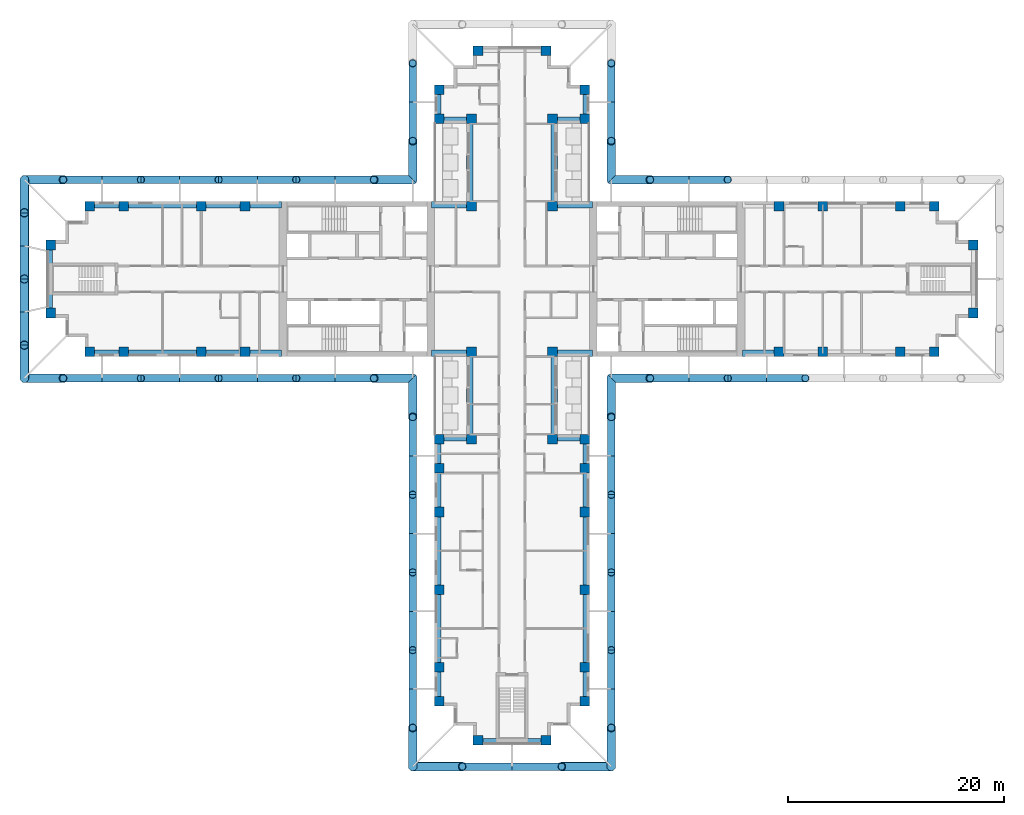
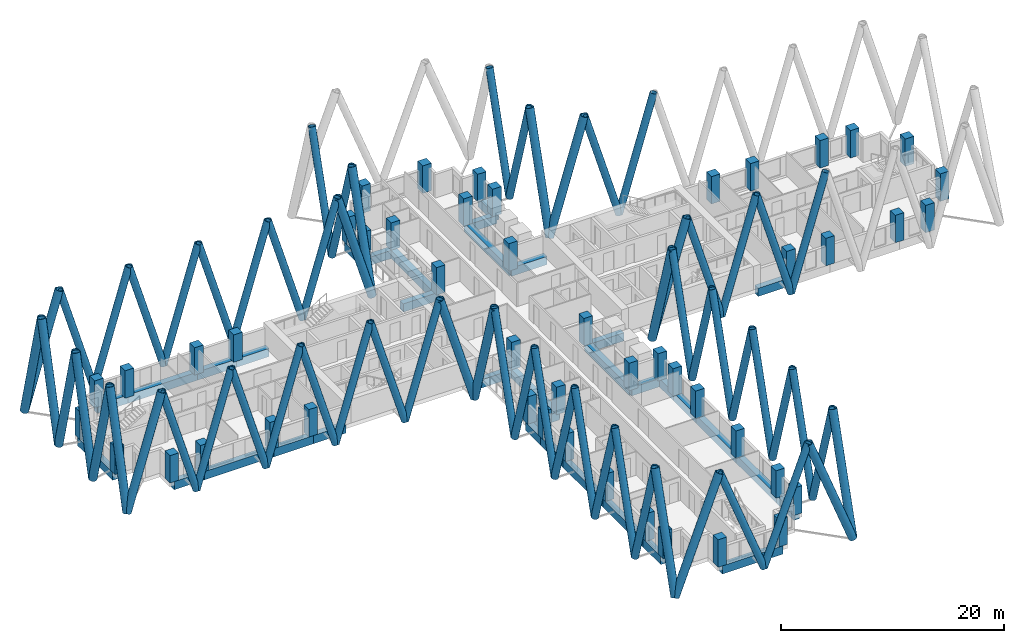
# One storey, part 1 of 14: 64 members, 48 columns, 35 beams.
"""IFC4 building model written with IfcOpenShell, lengths in metres."""

from ifc_helpers import new_model, si_unit, direction, frame, origin, origin_2d, place, context, subcontext, project, spatial, rectangle, hollow_circle, extrude, material, material_profile, profile_set, type_object, element, save


model = new_model("IFC4")

# Units and contexts
model_context = context("Model", 3, precision=1e-05, world=origin(), true_north=direction((0.0, 1.0)))
body_context = subcontext(model_context, "Body", "Model", "MODEL_VIEW")
ifc_project = project(units=[si_unit("LENGTHUNIT", "METRE"), si_unit("AREAUNIT", "SQUARE_METRE"), si_unit("VOLUMEUNIT", "CUBIC_METRE"), si_unit("PLANEANGLEUNIT", "RADIAN"), si_unit("MASSUNIT", "GRAM", prefix="KILO")], contexts=[model_context])

# Site, building, storey
site_placement = place(None, origin())
site = spatial("IfcSite", under=ifc_project, at=site_placement, CompositionType="ELEMENT")
building_placement = place(site_placement, origin())
building = spatial("IfcBuilding", under=site, at=building_placement, Name="Fustian Cross Tower", CompositionType="ELEMENT")
storey_placement = place(building_placement, frame((0.0, 0.0, 78.89990234375)))
storey = spatial("IfcBuildingStorey", under=building, at=storey_placement, Name="L24", CompositionType="ELEMENT", Elevation=78.89990234375)

# Columns
ifc_material_1 = material(Name="Concrete C60/75", Category="concrete")
ifc_material_profile_1 = material_profile(ifc_material_1, rectangle(XDim=0.89990234375, YDim=0.89990234375, at=origin_2d()), Name="RC 900x900")
ifc_profile_set_1 = profile_set([ifc_material_profile_1], Name="Concrete C60/75")
column_type = type_object("IfcColumnType", Name="COLUMN RC 900x900 C60/75", PredefinedType="COLUMN", material=ifc_profile_set_1)
for number, where, z_axis, x_axis, name in (
    (1, (-42.75, -3.14990234375, 0.0), (0.0, 0.0, 1.0), (1.0, 0.0, 0.0), "COLUMN 001"),
    (2, (-42.75, 3.14990234375, 0.0), (0.0, 0.0, 1.0), (1.0, 0.0, 0.0), "COLUMN 002"),
    (3, (-39.14990234375, -6.75, 0.0), (0.0, 0.0, 1.0), (1.0, 0.0, 0.0), "COLUMN 003"),
    (4, (-39.14990234375, 6.75, 0.0), (0.0, 0.0, 1.0), (1.0, 0.0, 0.0), "COLUMN 004"),
    (5, (-36.0, -6.75, 0.0), (0.0, 0.0, 1.0), (1.0, 0.0, 0.0), "COLUMN 005"),
    (6, (-36.0, 6.75, 0.0), (0.0, 0.0, 1.0), (1.0, 0.0, 0.0), "COLUMN 006"),
    (7, (-28.800048828125, -6.75, 0.0), (0.0, 0.0, 1.0), (1.0, 0.0, 0.0), "COLUMN 007"),
    (8, (-28.800048828125, 6.75, 0.0), (0.0, 0.0, 1.0), (1.0, 0.0, 0.0), "COLUMN 010"),
    (9, (-24.75, -6.75, 0.0), (0.0, 0.0, 1.0), (1.0, 0.0, 0.0), "COLUMN 011"),
    (10, (-24.75, 6.75, 0.0), (0.0, 0.0, 1.0), (1.0, 0.0, 0.0), "COLUMN 012"),
    (11, (-6.75, -39.14990234375, 0.0), (0.0, 0.0, 1.0), (1.0, 0.0, 0.0), "COLUMN 013"),
    (12, (-6.75, -36.0, 0.0), (0.0, 0.0, 1.0), (1.0, 0.0, 0.0), "COLUMN 014"),
    (13, (-6.75, -28.800048828125, 0.0), (0.0, 0.0, 1.0), (1.0, 0.0, 0.0), "COLUMN 015"),
    (14, (-6.75, -21.60009765625, 0.0), (0.0, 0.0, 1.0), (1.0, 0.0, 0.0), "COLUMN 016"),
    (15, (-6.75, -17.550048828125, 0.0), (0.0, 0.0, 1.0), (1.0, 0.0, 0.0), "COLUMN 017"),
    (16, (-6.75, -14.85009765625, 0.0), (0.0, 0.0, 1.0), (1.0, 0.0, 0.0), "COLUMN 018"),
    (17, (-6.75, 14.85009765625, 0.0), (0.0, 0.0, 1.0), (1.0, 0.0, 0.0), "COLUMN 019"),
    (18, (-6.75, 17.550048828125, 0.0), (0.0, 0.0, 1.0), (1.0, 0.0, 0.0), "COLUMN 020"),
    (19, (-3.75, -14.85009765625, 0.0), (0.0, 0.0, 1.0), (1.0, 0.0, 0.0), "COLUMN 025"),
    (20, (-3.75, -6.75, 0.0), (0.0, 0.0, 1.0), (1.0, 0.0, 0.0), "COLUMN 026"),
    (21, (-3.75, 6.75, 0.0), (0.0, 0.0, 1.0), (1.0, 0.0, 0.0), "COLUMN 027"),
    (22, (-3.75, 14.85009765625, 0.0), (0.0, 0.0, 1.0), (1.0, 0.0, 0.0), "COLUMN 028"),
    (23, (-3.14990234375, -42.75, 0.0), (0.0, 0.0, 1.0), (1.0, 0.0, 0.0), "COLUMN 029"),
    (24, (-3.14990234375, 21.14990234375, 0.0), (0.0, 0.0, 1.0), (1.0, 0.0, 0.0), "COLUMN 031"),
    (25, (3.14990234375, -42.75, 0.0), (0.0, 0.0, 1.0), (1.0, 0.0, 0.0), "COLUMN 033"),
    (26, (3.14990234375, 21.14990234375, 0.0), (0.0, 0.0, 1.0), (1.0, 0.0, 0.0), "COLUMN 035"),
    (27, (3.75, -14.85009765625, 0.0), (0.0, 0.0, 1.0), (1.0, 0.0, 0.0), "COLUMN 037"),
    (28, (3.75, -6.75, 0.0), (0.0, 0.0, 1.0), (1.0, 0.0, 0.0), "COLUMN 038"),
    (29, (3.75, 6.75, 0.0), (0.0, 0.0, 1.0), (1.0, 0.0, 0.0), "COLUMN 039"),
    (30, (3.75, 14.85009765625, 0.0), (0.0, 0.0, 1.0), (1.0, 0.0, 0.0), "COLUMN 040"),
    (31, (6.75, -39.14990234375, 0.0), (0.0, 0.0, 1.0), (1.0, 0.0, 0.0), "COLUMN 041"),
    (32, (6.75, -36.0, 0.0), (0.0, 0.0, 1.0), (1.0, 0.0, 0.0), "COLUMN 042"),
    (33, (6.75, -28.800048828125, 0.0), (0.0, 0.0, 1.0), (1.0, 0.0, 0.0), "COLUMN 043"),
    (34, (6.75, -21.60009765625, 0.0), (0.0, 0.0, 1.0), (1.0, 0.0, 0.0), "COLUMN 044"),
    (35, (6.75, -17.550048828125, 0.0), (0.0, 0.0, 1.0), (1.0, 0.0, 0.0), "COLUMN 045"),
    (36, (6.75, -14.85009765625, 0.0), (0.0, 0.0, 1.0), (1.0, 0.0, 0.0), "COLUMN 046"),
    (37, (6.75, 14.85009765625, 0.0), (0.0, 0.0, 1.0), (1.0, 0.0, 0.0), "COLUMN 047"),
    (38, (6.75, 17.550048828125, 0.0), (0.0, 0.0, 1.0), (1.0, 0.0, 0.0), "COLUMN 048"),
    (39, (24.75, -6.75, 0.0), (0.0, 0.0, 1.0), (1.0, 0.0, 0.0), "COLUMN 053"),
    (40, (24.75, 6.75, 0.0), (0.0, 0.0, 1.0), (1.0, 0.0, 0.0), "COLUMN 054"),
    (41, (28.800048828125, -6.75, 0.0), (0.0, 0.0, 1.0), (1.0, 0.0, 0.0), "COLUMN 055"),
    (42, (28.800048828125, 6.75, 0.0), (0.0, 0.0, 1.0), (1.0, 0.0, 0.0), "COLUMN 058"),
    (43, (36.0, -6.75, 0.0), (0.0, 0.0, 1.0), (1.0, 0.0, 0.0), "COLUMN 059"),
    (44, (36.0, 6.75, 0.0), (0.0, 0.0, 1.0), (1.0, 0.0, 0.0), "COLUMN 060"),
    (45, (39.14990234375, -6.75, 0.0), (0.0, 0.0, 1.0), (1.0, 0.0, 0.0), "COLUMN 061"),
    (46, (39.14990234375, 6.75, 0.0), (0.0, 0.0, 1.0), (1.0, 0.0, 0.0), "COLUMN 062"),
    (47, (42.75, -3.14990234375, 0.0), (0.0, 0.0, 1.0), (1.0, 0.0, 0.0), "COLUMN 063"),
    (48, (42.75, 3.14990234375, 0.0), (0.0, 0.0, 1.0), (1.0, 0.0, 0.0), "COLUMN 064"),
):
    element("IfcColumn", number, at=place(storey_placement, frame(where, z_axis=z_axis, x_axis=x_axis)), inside=storey, type_object=column_type, Name=name, PredefinedType="COLUMN", context=body_context, shape_type="SweptSolid", body=[
        extrude(rectangle(XDim=0.89990234375, YDim=0.89990234375, at=origin_2d()), origin(), (0.0, 0.0, 1.0), 3.0),
    ])

# Members
ifc_material_2 = material(Name="Steel S355", Category="steel")
ifc_material_profile_2 = material_profile(ifc_material_2, hollow_circle(Radius=0.355712890625, WallThickness=0.031982421875, at=origin_2d()), Name="CHS 711x32")
ifc_profile_set_2 = profile_set([ifc_material_profile_2], Name="Steel S355")
member_type_1 = type_object("IfcMemberType", Name="DIAGRID DIAGONAL CHS 711x32", PredefinedType="BRACE", material=ifc_profile_set_2)
for number, where, z_axis, x_axis, name in (
    (49, (16.39990234375, -9.199951171875, 0.0), (-0.287337158709, 0.0, 0.957829503213), (0.0, -1.0, 0.0), "Diagrid diagonal E-S 02"),
    (50, (16.39990234375, -9.199951171875, 0.0), (0.287355036744, 0.0, 0.957824139839), (0.0, 1.0, 0.0), "Diagrid diagonal E-S 03"),
    (51, (23.60009765625, -9.199951171875, 0.0), (-0.287355036744, 0.0, 0.957824139839), (0.0, -1.0, 0.0), "Diagrid diagonal E-S 04"),
    (52, (23.60009765625, -9.199951171875, 0.0), (0.287337158709, 0.0, 0.957829503213), (0.0, 1.0, 0.0), "Diagrid diagonal E-S 05"),
    (53, (16.39990234375, 9.199951171875, 0.0), (0.287355036744, 0.0, 0.957824139839), (0.0, 1.0, 0.0), "Diagrid diagonal E-N 08"),
    (54, (16.39990234375, 9.199951171875, 0.0), (-0.287337158709, 0.0, 0.957829503213), (0.0, -1.0, 0.0), "Diagrid diagonal E-N 09"),
    (55, (9.199951171875, 16.39990234375, 0.0), (0.0, -0.287337158709, 0.957829503213), (1.0, 0.0, 0.0), "Diagrid diagonal N-E 02"),
    (56, (9.199951171875, 16.39990234375, 0.0), (0.0, 0.287355036744, 0.957824139839), (-1.0, 0.0, 0.0), "Diagrid diagonal N-E 03"),
    (57, (-9.199951171875, 16.39990234375, 0.0), (0.0, 0.287355036744, 0.957824139839), (-1.0, 0.0, 0.0), "Diagrid diagonal N-W 02"),
    (58, (-9.199951171875, 16.39990234375, 0.0), (0.0, -0.287337158709, 0.957829503213), (1.0, 0.0, 0.0), "Diagrid diagonal N-W 03"),
    (59, (-16.39990234375, 9.199951171875, 0.0), (0.287337158709, 0.0, 0.957829503213), (0.0, 1.0, 0.0), "Diagrid diagonal W-N 02"),
    (60, (-16.39990234375, 9.199951171875, 0.0), (-0.287355036744, 0.0, 0.957824139839), (0.0, -1.0, 0.0), "Diagrid diagonal W-N 03"),
    (61, (-23.60009765625, 9.199951171875, 0.0), (0.287355036744, 0.0, 0.957824139839), (0.0, 1.0, 0.0), "Diagrid diagonal W-N 04"),
    (62, (-23.60009765625, 9.199951171875, 0.0), (-0.287337158709, 0.0, 0.957829503213), (0.0, -1.0, 0.0), "Diagrid diagonal W-N 05"),
    (63, (-30.800048828125, 9.199951171875, 0.0), (0.287355036744, 0.0, 0.957824139839), (0.0, 1.0, 0.0), "Diagrid diagonal W-N 06"),
    (64, (-30.800048828125, 9.199951171875, 0.0), (-0.287337158709, 0.0, 0.957829503213), (0.0, -1.0, 0.0), "Diagrid diagonal W-N 07"),
    (65, (-38.0, 9.199951171875, 0.0), (0.287355036744, 0.0, 0.957824139839), (0.0, 1.0, 0.0), "Diagrid diagonal W-N 08"),
    (66, (-38.0, 9.199951171875, 0.0), (-0.287355036744, 0.0, 0.957824139839), (0.0, -1.0, 0.0), "Diagrid diagonal W-N 09"),
    (67, (-38.0, -9.199951171875, 0.0), (-0.287355036744, 0.0, 0.957824139839), (0.0, -1.0, 0.0), "Diagrid diagonal W-S 02"),
    (68, (-38.0, -9.199951171875, 0.0), (0.287355036744, 0.0, 0.957824139839), (0.0, 1.0, 0.0), "Diagrid diagonal W-S 03"),
    (69, (-30.800048828125, -9.199951171875, 0.0), (-0.287337158709, 0.0, 0.957829503213), (0.0, -1.0, 0.0), "Diagrid diagonal W-S 04"),
    (70, (-30.800048828125, -9.199951171875, 0.0), (0.287355036744, 0.0, 0.957824139839), (0.0, 1.0, 0.0), "Diagrid diagonal W-S 05"),
    (71, (-23.60009765625, -9.199951171875, 0.0), (-0.287337158709, 0.0, 0.957829503213), (0.0, -1.0, 0.0), "Diagrid diagonal W-S 06"),
    (72, (-23.60009765625, -9.199951171875, 0.0), (0.287355036744, 0.0, 0.957824139839), (0.0, 1.0, 0.0), "Diagrid diagonal W-S 07"),
    (73, (-16.39990234375, -9.199951171875, 0.0), (-0.287355036744, 0.0, 0.957824139839), (0.0, -1.0, 0.0), "Diagrid diagonal W-S 08"),
    (74, (-16.39990234375, -9.199951171875, 0.0), (0.287337158709, 0.0, 0.957829503213), (0.0, 1.0, 0.0), "Diagrid diagonal W-S 09"),
    (75, (-9.199951171875, -16.39990234375, 0.0), (0.0, 0.287337158709, 0.957829503213), (-1.0, 0.0, 0.0), "Diagrid diagonal S-W 02"),
    (76, (-9.199951171875, -16.39990234375, 0.0), (0.0, -0.287355036744, 0.957824139839), (1.0, 0.0, 0.0), "Diagrid diagonal S-W 03"),
    (77, (-9.199951171875, -23.60009765625, 0.0), (0.0, 0.287355036744, 0.957824139839), (-1.0, 0.0, 0.0), "Diagrid diagonal S-W 04"),
    (78, (-9.199951171875, -23.60009765625, 0.0), (0.0, -0.287337158709, 0.957829503213), (1.0, 0.0, 0.0), "Diagrid diagonal S-W 05"),
    (79, (-9.199951171875, -30.800048828125, 0.0), (0.0, 0.287355036744, 0.957824139839), (-1.0, 0.0, 0.0), "Diagrid diagonal S-W 06"),
    (80, (-9.199951171875, -30.800048828125, 0.0), (0.0, -0.287337158709, 0.957829503213), (1.0, 0.0, 0.0), "Diagrid diagonal S-W 07"),
    (81, (-9.199951171875, -38.0, 0.0), (0.0, 0.287355036744, 0.957824139839), (-1.0, 0.0, 0.0), "Diagrid diagonal S-W 08"),
    (82, (-9.199951171875, -38.0, 0.0), (0.0, -0.287355036744, 0.957824139839), (1.0, 0.0, 0.0), "Diagrid diagonal S-W 09"),
):
    element("IfcMember", number, at=place(storey_placement, frame(where, z_axis=z_axis, x_axis=x_axis)), inside=storey, type_object=member_type_1, Name=name, PredefinedType="BRACE", context=body_context, shape_type="SweptSolid", body=[
        extrude(hollow_circle(Radius=0.355712890625, WallThickness=0.031982421875, at=origin_2d()), origin(), (0.0, 0.0, 1.0), 12.5283203125),
    ])
for number, where, z_axis, x_axis, name in (
    (83, (0.0, -45.199951171875, 0.0), (-0.3579426369, 0.0, 0.933743577589), (0.0, -1.0, 0.0), "Diagrid diagonal S-end 02"),
    (84, (0.0, -45.199951171875, 0.0), (0.3579426369, 0.0, 0.933743577589), (0.0, 1.0, 0.0), "Diagrid diagonal S-end 03"),
):
    element("IfcMember", number, at=place(storey_placement, frame(where, z_axis=z_axis, x_axis=x_axis)), inside=storey, type_object=member_type_1, Name=name, PredefinedType="BRACE", context=body_context, shape_type="SweptSolid", body=[
        extrude(hollow_circle(Radius=0.355712890625, WallThickness=0.031982421875, at=origin_2d()), origin(), (0.0, 0.0, 1.0), 12.8515625),
    ])
for number, where, z_axis, x_axis, name in (
    (85, (9.199951171875, -38.0, 0.0), (0.0, -0.287355036744, 0.957824139839), (1.0, 0.0, 0.0), "Diagrid diagonal S-E 02"),
    (86, (9.199951171875, -38.0, 0.0), (0.0, 0.287355036744, 0.957824139839), (-1.0, 0.0, 0.0), "Diagrid diagonal S-E 03"),
    (87, (9.199951171875, -30.800048828125, 0.0), (0.0, -0.287337158709, 0.957829503213), (1.0, 0.0, 0.0), "Diagrid diagonal S-E 04"),
    (88, (9.199951171875, -30.800048828125, 0.0), (0.0, 0.287355036744, 0.957824139839), (-1.0, 0.0, 0.0), "Diagrid diagonal S-E 05"),
    (89, (9.199951171875, -23.60009765625, 0.0), (0.0, -0.287337158709, 0.957829503213), (1.0, 0.0, 0.0), "Diagrid diagonal S-E 06"),
    (90, (9.199951171875, -23.60009765625, 0.0), (0.0, 0.287355036744, 0.957824139839), (-1.0, 0.0, 0.0), "Diagrid diagonal S-E 07"),
    (91, (9.199951171875, -16.39990234375, 0.0), (0.0, -0.287355036744, 0.957824139839), (1.0, 0.0, 0.0), "Diagrid diagonal S-E 08"),
    (92, (9.199951171875, -16.39990234375, 0.0), (0.0, 0.287337158709, 0.957829503213), (-1.0, 0.0, 0.0), "Diagrid diagonal S-E 09"),
):
    element("IfcMember", number, at=place(storey_placement, frame(where, z_axis=z_axis, x_axis=x_axis)), inside=storey, type_object=member_type_1, Name=name, PredefinedType="BRACE", context=body_context, shape_type="SweptSolid", body=[
        extrude(hollow_circle(Radius=0.355712890625, WallThickness=0.031982421875, at=origin_2d()), origin(), (0.0, 0.0, 1.0), 12.5283203125),
    ])
ifc_material_3 = material(Name="Steel S355", Category="steel")
ifc_material_profile_3 = material_profile(ifc_material_3, hollow_circle(Radius=0.406494140625, WallThickness=0.0400390625, at=origin_2d()), Name="CHS 813x40")
ifc_profile_set_3 = profile_set([ifc_material_profile_3], Name="Steel S355")
member_type_2 = type_object("IfcMemberType", Name="DIAGRID DIAGONAL CHS 813x40", PredefinedType="BRACE", material=ifc_profile_set_3)
for number, where, z_axis, x_axis, name in (
    (93, (9.199951171875, -9.199951171875, 0.0), (0.287355036744, 0.0, 0.957824139839), (0.0, 1.0, 0.0), "Diagrid diagonal E-S 01"),
    (94, (9.199951171875, 9.199951171875, 0.0), (0.287355036744, 0.0, 0.957824139839), (0.0, 1.0, 0.0), "Diagrid diagonal E-N 10"),
    (95, (9.199951171875, 9.199951171875, 0.0), (0.0, 0.287355036744, 0.957824139839), (-1.0, 0.0, 0.0), "Diagrid diagonal N-E 01"),
    (96, (-9.199951171875, 9.199951171875, 0.0), (0.0, 0.287355036744, 0.957824139839), (-1.0, 0.0, 0.0), "Diagrid diagonal N-W 04"),
    (97, (-9.199951171875, 9.199951171875, 0.0), (-0.287355036744, 0.0, 0.957824139839), (0.0, -1.0, 0.0), "Diagrid diagonal W-N 01"),
    (98, (-45.199951171875, 9.199951171875, 0.0), (0.287337158709, 0.0, 0.957829503213), (0.0, 1.0, 0.0), "Diagrid diagonal W-N 10"),
):
    element("IfcMember", number, at=place(storey_placement, frame(where, z_axis=z_axis, x_axis=x_axis)), inside=storey, type_object=member_type_2, Name=name, PredefinedType="BRACE", context=body_context, shape_type="SweptSolid", body=[
        extrude(hollow_circle(Radius=0.406494140625, WallThickness=0.0400390625, at=origin_2d()), origin(), (0.0, 0.0, 1.0), 12.5283203125),
    ])
for number, where, z_axis, x_axis, name in (
    (99, (-45.199951171875, 9.199951171875, 0.0), (0.0, -0.247597033967, 0.96886310115), (1.0, 0.0, 0.0), "Diagrid diagonal W-end 01"),
    (100, (-45.199951171875, 3.066650390625, 0.0), (0.0, 0.247597033967, 0.96886310115), (-1.0, 0.0, 0.0), "Diagrid diagonal W-end 02"),
    (101, (-45.199951171875, 3.066650390625, 0.0), (0.0, -0.247597033967, 0.96886310115), (1.0, 0.0, 0.0), "Diagrid diagonal W-end 03"),
    (102, (-45.199951171875, -3.066650390625, 0.0), (0.0, 0.247597033967, 0.96886310115), (-1.0, 0.0, 0.0), "Diagrid diagonal W-end 04"),
    (103, (-45.199951171875, -3.066650390625, 0.0), (0.0, -0.247597033967, 0.96886310115), (1.0, 0.0, 0.0), "Diagrid diagonal W-end 05"),
    (104, (-45.199951171875, -9.199951171875, 0.0), (0.0, 0.247597033967, 0.96886310115), (-1.0, 0.0, 0.0), "Diagrid diagonal W-end 06"),
):
    element("IfcMember", number, at=place(storey_placement, frame(where, z_axis=z_axis, x_axis=x_axis)), inside=storey, type_object=member_type_2, Name=name, PredefinedType="BRACE", context=body_context, shape_type="SweptSolid", body=[
        extrude(hollow_circle(Radius=0.406494140625, WallThickness=0.0400390625, at=origin_2d()), origin(), (0.0, 0.0, 1.0), 12.3857421875),
    ])
for number, where, z_axis, x_axis, name in (
    (105, (-45.199951171875, -9.199951171875, 0.0), (0.287337158709, 0.0, 0.957829503213), (0.0, 1.0, 0.0), "Diagrid diagonal W-S 01"),
    (106, (-9.199951171875, -9.199951171875, 0.0), (-0.287355036744, 0.0, 0.957824139839), (0.0, -1.0, 0.0), "Diagrid diagonal W-S 10"),
    (107, (-9.199951171875, -9.199951171875, 0.0), (0.0, -0.287355036744, 0.957824139839), (1.0, 0.0, 0.0), "Diagrid diagonal S-W 01"),
    (108, (-9.199951171875, -45.199951171875, 0.0), (0.0, 0.287337158709, 0.957829503213), (-1.0, 0.0, 0.0), "Diagrid diagonal S-W 10"),
):
    element("IfcMember", number, at=place(storey_placement, frame(where, z_axis=z_axis, x_axis=x_axis)), inside=storey, type_object=member_type_2, Name=name, PredefinedType="BRACE", context=body_context, shape_type="SweptSolid", body=[
        extrude(hollow_circle(Radius=0.406494140625, WallThickness=0.0400390625, at=origin_2d()), origin(), (0.0, 0.0, 1.0), 12.5283203125),
    ])
for number, where, z_axis, x_axis, name in (
    (109, (-9.199951171875, -45.199951171875, 0.0), (0.357926073629, 0.0, 0.933749926809), (0.0, 1.0, 0.0), "Diagrid diagonal S-end 01"),
    (110, (9.199951171875, -45.199951171875, 0.0), (-0.357926073629, 0.0, 0.933749926809), (0.0, -1.0, 0.0), "Diagrid diagonal S-end 04"),
):
    element("IfcMember", number, at=place(storey_placement, frame(where, z_axis=z_axis, x_axis=x_axis)), inside=storey, type_object=member_type_2, Name=name, PredefinedType="BRACE", context=body_context, shape_type="SweptSolid", body=[
        extrude(hollow_circle(Radius=0.406494140625, WallThickness=0.0400390625, at=origin_2d()), origin(), (0.0, 0.0, 1.0), 12.851318359375),
    ])
for number, where, z_axis, x_axis, name in (
    (111, (9.199951171875, -45.199951171875, 0.0), (0.0, 0.287337158709, 0.957829503213), (-1.0, 0.0, 0.0), "Diagrid diagonal S-E 01"),
    (112, (9.199951171875, -9.199951171875, 0.0), (0.0, -0.287355036744, 0.957824139839), (1.0, 0.0, 0.0), "Diagrid diagonal S-E 10"),
):
    element("IfcMember", number, at=place(storey_placement, frame(where, z_axis=z_axis, x_axis=x_axis)), inside=storey, type_object=member_type_2, Name=name, PredefinedType="BRACE", context=body_context, shape_type="SweptSolid", body=[
        extrude(hollow_circle(Radius=0.406494140625, WallThickness=0.0400390625, at=origin_2d()), origin(), (0.0, 0.0, 1.0), 12.5283203125),
    ])

# Beams
ifc_material_4 = material(Name="Concrete C50/60", Category="concrete")
ifc_material_profile_4 = material_profile(ifc_material_4, rectangle(XDim=0.60009765625, YDim=0.89990234375, at=origin_2d()), Name="RC 600x900")
ifc_profile_set_4 = profile_set([ifc_material_profile_4], Name="Concrete C50/60")
beam_type = type_object("IfcBeamType", Name="EDGE BEAM RC 600x900 C50/60", PredefinedType="SPANDREL", material=ifc_profile_set_4)
beam_1_placement = place(storey_placement, frame((21.35009765625, -6.89990234375, -0.449951171875), z_axis=(1.0, 0.0, 0.0), x_axis=(0.0, 1.0, 0.0)))
element("IfcBeam", 113, at=beam_1_placement, inside=storey, type_object=beam_type, Name="EDGE BEAM L24-01", PredefinedType="SPANDREL", context=body_context, shape_type="SweptSolid", body=[
    extrude(rectangle(XDim=0.60009765625, YDim=0.89990234375, at=origin_2d()), origin(), (0.0, 0.0, 1.0), 3.39990234375),
])
beam_2_placement = place(storey_placement, frame((7.449951171875, 6.89990234375, -0.449951171875), z_axis=(-1.0, 0.0, 0.0), x_axis=(0.0, -1.0, 0.0)))
element("IfcBeam", 114, at=beam_2_placement, inside=storey, type_object=beam_type, Name="EDGE BEAM L24-10", PredefinedType="SPANDREL", context=body_context, shape_type="SweptSolid", body=[
    extrude(rectangle(XDim=0.60009765625, YDim=0.89990234375, at=origin_2d()), origin(), (0.0, 0.0, 1.0), 3.699951171875),
])
beam_3_placement = place(storey_placement, frame((3.89990234375, 6.75, -0.449951171875), z_axis=(0.0, 1.0, 0.0), x_axis=(-1.0, 0.0, 0.0)))
element("IfcBeam", 115, at=beam_3_placement, inside=storey, type_object=beam_type, Name="EDGE BEAM L24-11", PredefinedType="SPANDREL", context=body_context, shape_type="SweptSolid", body=[
    extrude(rectangle(XDim=0.60009765625, YDim=0.89990234375, at=origin_2d()), origin(), (0.0, 0.0, 1.0), 8.10009765625),
])
beam_4_placement = place(storey_placement, frame((3.75, 14.699951171875, -0.449951171875), z_axis=(1.0, 0.0, 0.0), x_axis=(0.0, 1.0, 0.0)))
element("IfcBeam", 116, at=beam_4_placement, inside=storey, type_object=beam_type, Name="EDGE BEAM L24-12", PredefinedType="SPANDREL", context=body_context, shape_type="SweptSolid", body=[
    extrude(rectangle(XDim=0.60009765625, YDim=0.89990234375, at=origin_2d()), origin(), (0.0, 0.0, 1.0), 3.0),
])
for number, where, z_axis, x_axis, name in (
    (117, (6.89990234375, 14.85009765625, -0.449951171875), (0.0, 1.0, 0.0), (-1.0, 0.0, 0.0), "EDGE BEAM L24-13"),
    (118, (-6.89990234375, 17.550048828125, -0.449951171875), (0.0, -1.0, 0.0), (1.0, 0.0, 0.0), "EDGE BEAM L24-15"),
):
    element("IfcBeam", number, at=place(storey_placement, frame(where, z_axis=z_axis, x_axis=x_axis)), inside=storey, type_object=beam_type, Name=name, PredefinedType="SPANDREL", context=body_context, shape_type="SweptSolid", body=[
        extrude(rectangle(XDim=0.60009765625, YDim=0.89990234375, at=origin_2d()), origin(), (0.0, 0.0, 1.0), 2.699951171875),
    ])
beam_5_placement = place(storey_placement, frame((-6.75, 14.699951171875, -0.449951171875), z_axis=(1.0, 0.0, 0.0), x_axis=(0.0, 1.0, 0.0)))
element("IfcBeam", 119, at=beam_5_placement, inside=storey, type_object=beam_type, Name="EDGE BEAM L24-16", PredefinedType="SPANDREL", context=body_context, shape_type="SweptSolid", body=[
    extrude(rectangle(XDim=0.60009765625, YDim=0.89990234375, at=origin_2d()), origin(), (0.0, 0.0, 1.0), 3.0),
])
beam_6_placement = place(storey_placement, frame((-3.89990234375, 14.85009765625, -0.449951171875), z_axis=(0.0, -1.0, 0.0), x_axis=(1.0, 0.0, 0.0)))
element("IfcBeam", 120, at=beam_6_placement, inside=storey, type_object=beam_type, Name="EDGE BEAM L24-17", PredefinedType="SPANDREL", context=body_context, shape_type="SweptSolid", body=[
    extrude(rectangle(XDim=0.60009765625, YDim=0.89990234375, at=origin_2d()), origin(), (0.0, 0.0, 1.0), 8.10009765625),
])
beam_7_placement = place(storey_placement, frame((-3.75, 6.89990234375, -0.449951171875), z_axis=(-1.0, 0.0, 0.0), x_axis=(0.0, -1.0, 0.0)))
element("IfcBeam", 121, at=beam_7_placement, inside=storey, type_object=beam_type, Name="EDGE BEAM L24-18", PredefinedType="SPANDREL", context=body_context, shape_type="SweptSolid", body=[
    extrude(rectangle(XDim=0.60009765625, YDim=0.89990234375, at=origin_2d()), origin(), (0.0, 0.0, 1.0), 3.699951171875),
])
beam_8_placement = place(storey_placement, frame((-21.35009765625, 6.89990234375, -0.449951171875), z_axis=(-1.0, 0.0, 0.0), x_axis=(0.0, -1.0, 0.0)))
element("IfcBeam", 122, at=beam_8_placement, inside=storey, type_object=beam_type, Name="EDGE BEAM L24-19", PredefinedType="SPANDREL", context=body_context, shape_type="SweptSolid", body=[
    extrude(rectangle(XDim=0.60009765625, YDim=0.89990234375, at=origin_2d()), origin(), (0.0, 0.0, 1.0), 3.39990234375),
])
beam_9_placement = place(storey_placement, frame((-24.75, 6.89990234375, -0.449951171875), z_axis=(-1.0, 0.0, 0.0), x_axis=(0.0, -1.0, 0.0)))
element("IfcBeam", 123, at=beam_9_placement, inside=storey, type_object=beam_type, Name="EDGE BEAM L24-20", PredefinedType="SPANDREL", context=body_context, shape_type="SweptSolid", body=[
    extrude(rectangle(XDim=0.60009765625, YDim=0.89990234375, at=origin_2d()), origin(), (0.0, 0.0, 1.0), 4.050048828125),
])
beam_10_placement = place(storey_placement, frame((-28.800048828125, 6.89990234375, -0.449951171875), z_axis=(-1.0, 0.0, 0.0), x_axis=(0.0, -1.0, 0.0)))
element("IfcBeam", 124, at=beam_10_placement, inside=storey, type_object=beam_type, Name="EDGE BEAM L24-21", PredefinedType="SPANDREL", context=body_context, shape_type="SweptSolid", body=[
    extrude(rectangle(XDim=0.60009765625, YDim=0.89990234375, at=origin_2d()), origin(), (0.0, 0.0, 1.0), 7.199951171875),
])
beam_11_placement = place(storey_placement, frame((-36.0, 6.89990234375, -0.449951171875), z_axis=(-1.0, 0.0, 0.0), x_axis=(0.0, -1.0, 0.0)))
element("IfcBeam", 125, at=beam_11_placement, inside=storey, type_object=beam_type, Name="EDGE BEAM L24-22", PredefinedType="SPANDREL", context=body_context, shape_type="SweptSolid", body=[
    extrude(rectangle(XDim=0.60009765625, YDim=0.89990234375, at=origin_2d()), origin(), (0.0, 0.0, 1.0), 3.14990234375),
])
beam_12_placement = place(storey_placement, frame((-42.89990234375, 3.14990234375, -0.449951171875), z_axis=(0.0, -1.0, 0.0), x_axis=(1.0, 0.0, 0.0)))
element("IfcBeam", 126, at=beam_12_placement, inside=storey, type_object=beam_type, Name="EDGE BEAM L24-23", PredefinedType="SPANDREL", context=body_context, shape_type="SweptSolid", body=[
    extrude(rectangle(XDim=0.60009765625, YDim=0.89990234375, at=origin_2d()), origin(), (0.0, 0.0, 1.0), 6.2998046875),
])
beam_13_placement = place(storey_placement, frame((-39.14990234375, -6.89990234375, -0.449951171875), z_axis=(1.0, 0.0, 0.0), x_axis=(0.0, 1.0, 0.0)))
element("IfcBeam", 127, at=beam_13_placement, inside=storey, type_object=beam_type, Name="EDGE BEAM L24-24", PredefinedType="SPANDREL", context=body_context, shape_type="SweptSolid", body=[
    extrude(rectangle(XDim=0.60009765625, YDim=0.89990234375, at=origin_2d()), origin(), (0.0, 0.0, 1.0), 3.14990234375),
])
beam_14_placement = place(storey_placement, frame((-36.0, -6.89990234375, -0.449951171875), z_axis=(1.0, 0.0, 0.0), x_axis=(0.0, 1.0, 0.0)))
element("IfcBeam", 128, at=beam_14_placement, inside=storey, type_object=beam_type, Name="EDGE BEAM L24-25", PredefinedType="SPANDREL", context=body_context, shape_type="SweptSolid", body=[
    extrude(rectangle(XDim=0.60009765625, YDim=0.89990234375, at=origin_2d()), origin(), (0.0, 0.0, 1.0), 7.199951171875),
])
beam_15_placement = place(storey_placement, frame((-28.800048828125, -6.89990234375, -0.449951171875), z_axis=(1.0, 0.0, 0.0), x_axis=(0.0, 1.0, 0.0)))
element("IfcBeam", 129, at=beam_15_placement, inside=storey, type_object=beam_type, Name="EDGE BEAM L24-26", PredefinedType="SPANDREL", context=body_context, shape_type="SweptSolid", body=[
    extrude(rectangle(XDim=0.60009765625, YDim=0.89990234375, at=origin_2d()), origin(), (0.0, 0.0, 1.0), 4.050048828125),
])
beam_16_placement = place(storey_placement, frame((-24.75, -6.89990234375, -0.449951171875), z_axis=(1.0, 0.0, 0.0), x_axis=(0.0, 1.0, 0.0)))
element("IfcBeam", 130, at=beam_16_placement, inside=storey, type_object=beam_type, Name="EDGE BEAM L24-27", PredefinedType="SPANDREL", context=body_context, shape_type="SweptSolid", body=[
    extrude(rectangle(XDim=0.60009765625, YDim=0.89990234375, at=origin_2d()), origin(), (0.0, 0.0, 1.0), 3.39990234375),
])
beam_17_placement = place(storey_placement, frame((-7.449951171875, -6.89990234375, -0.449951171875), z_axis=(1.0, 0.0, 0.0), x_axis=(0.0, 1.0, 0.0)))
element("IfcBeam", 131, at=beam_17_placement, inside=storey, type_object=beam_type, Name="EDGE BEAM L24-28", PredefinedType="SPANDREL", context=body_context, shape_type="SweptSolid", body=[
    extrude(rectangle(XDim=0.60009765625, YDim=0.89990234375, at=origin_2d()), origin(), (0.0, 0.0, 1.0), 3.699951171875),
])
beam_18_placement = place(storey_placement, frame((-3.89990234375, -6.75, -0.449951171875), z_axis=(0.0, -1.0, 0.0), x_axis=(1.0, 0.0, 0.0)))
element("IfcBeam", 132, at=beam_18_placement, inside=storey, type_object=beam_type, Name="EDGE BEAM L24-29", PredefinedType="SPANDREL", context=body_context, shape_type="SweptSolid", body=[
    extrude(rectangle(XDim=0.60009765625, YDim=0.89990234375, at=origin_2d()), origin(), (0.0, 0.0, 1.0), 8.10009765625),
])
beam_19_placement = place(storey_placement, frame((-3.75, -14.699951171875, -0.449951171875), z_axis=(-1.0, 0.0, 0.0), x_axis=(0.0, -1.0, 0.0)))
element("IfcBeam", 133, at=beam_19_placement, inside=storey, type_object=beam_type, Name="EDGE BEAM L24-30", PredefinedType="SPANDREL", context=body_context, shape_type="SweptSolid", body=[
    extrude(rectangle(XDim=0.60009765625, YDim=0.89990234375, at=origin_2d()), origin(), (0.0, 0.0, 1.0), 3.0),
])
beam_20_placement = place(storey_placement, frame((-6.89990234375, -14.85009765625, -0.449951171875), z_axis=(0.0, -1.0, 0.0), x_axis=(1.0, 0.0, 0.0)))
element("IfcBeam", 134, at=beam_20_placement, inside=storey, type_object=beam_type, Name="EDGE BEAM L24-31", PredefinedType="SPANDREL", context=body_context, shape_type="SweptSolid", body=[
    extrude(rectangle(XDim=0.60009765625, YDim=0.89990234375, at=origin_2d()), origin(), (0.0, 0.0, 1.0), 2.699951171875),
])
beam_21_placement = place(storey_placement, frame((-6.89990234375, -17.550048828125, -0.449951171875), z_axis=(0.0, -1.0, 0.0), x_axis=(1.0, 0.0, 0.0)))
element("IfcBeam", 135, at=beam_21_placement, inside=storey, type_object=beam_type, Name="EDGE BEAM L24-32", PredefinedType="SPANDREL", context=body_context, shape_type="SweptSolid", body=[
    extrude(rectangle(XDim=0.60009765625, YDim=0.89990234375, at=origin_2d()), origin(), (0.0, 0.0, 1.0), 4.050048828125),
])
for number, where, z_axis, x_axis, name in (
    (136, (-6.89990234375, -21.60009765625, -0.449951171875), (0.0, -1.0, 0.0), (1.0, 0.0, 0.0), "EDGE BEAM L24-33"),
    (137, (-6.89990234375, -28.800048828125, -0.449951171875), (0.0, -1.0, 0.0), (1.0, 0.0, 0.0), "EDGE BEAM L24-34"),
):
    element("IfcBeam", number, at=place(storey_placement, frame(where, z_axis=z_axis, x_axis=x_axis)), inside=storey, type_object=beam_type, Name=name, PredefinedType="SPANDREL", context=body_context, shape_type="SweptSolid", body=[
        extrude(rectangle(XDim=0.60009765625, YDim=0.89990234375, at=origin_2d()), origin(), (0.0, 0.0, 1.0), 7.199951171875),
    ])
beam_22_placement = place(storey_placement, frame((-6.89990234375, -36.0, -0.449951171875), z_axis=(0.0, -1.0, 0.0), x_axis=(1.0, 0.0, 0.0)))
element("IfcBeam", 138, at=beam_22_placement, inside=storey, type_object=beam_type, Name="EDGE BEAM L24-35", PredefinedType="SPANDREL", context=body_context, shape_type="SweptSolid", body=[
    extrude(rectangle(XDim=0.60009765625, YDim=0.89990234375, at=origin_2d()), origin(), (0.0, 0.0, 1.0), 3.14990234375),
])
beam_23_placement = place(storey_placement, frame((-3.14990234375, -42.89990234375, -0.449951171875), z_axis=(1.0, 0.0, 0.0), x_axis=(0.0, 1.0, 0.0)))
element("IfcBeam", 139, at=beam_23_placement, inside=storey, type_object=beam_type, Name="EDGE BEAM L24-36", PredefinedType="SPANDREL", context=body_context, shape_type="SweptSolid", body=[
    extrude(rectangle(XDim=0.60009765625, YDim=0.89990234375, at=origin_2d()), origin(), (0.0, 0.0, 1.0), 6.2998046875),
])
beam_24_placement = place(storey_placement, frame((6.89990234375, -39.14990234375, -0.449951171875), z_axis=(0.0, 1.0, 0.0), x_axis=(-1.0, 0.0, 0.0)))
element("IfcBeam", 140, at=beam_24_placement, inside=storey, type_object=beam_type, Name="EDGE BEAM L24-37", PredefinedType="SPANDREL", context=body_context, shape_type="SweptSolid", body=[
    extrude(rectangle(XDim=0.60009765625, YDim=0.89990234375, at=origin_2d()), origin(), (0.0, 0.0, 1.0), 3.14990234375),
])
for number, where, z_axis, x_axis, name in (
    (141, (6.89990234375, -36.0, -0.449951171875), (0.0, 1.0, 0.0), (-1.0, 0.0, 0.0), "EDGE BEAM L24-38"),
    (142, (6.89990234375, -28.800048828125, -0.449951171875), (0.0, 1.0, 0.0), (-1.0, 0.0, 0.0), "EDGE BEAM L24-39"),
):
    element("IfcBeam", number, at=place(storey_placement, frame(where, z_axis=z_axis, x_axis=x_axis)), inside=storey, type_object=beam_type, Name=name, PredefinedType="SPANDREL", context=body_context, shape_type="SweptSolid", body=[
        extrude(rectangle(XDim=0.60009765625, YDim=0.89990234375, at=origin_2d()), origin(), (0.0, 0.0, 1.0), 7.199951171875),
    ])
beam_25_placement = place(storey_placement, frame((6.89990234375, -21.60009765625, -0.449951171875), z_axis=(0.0, 1.0, 0.0), x_axis=(-1.0, 0.0, 0.0)))
element("IfcBeam", 143, at=beam_25_placement, inside=storey, type_object=beam_type, Name="EDGE BEAM L24-40", PredefinedType="SPANDREL", context=body_context, shape_type="SweptSolid", body=[
    extrude(rectangle(XDim=0.60009765625, YDim=0.89990234375, at=origin_2d()), origin(), (0.0, 0.0, 1.0), 4.050048828125),
])
beam_26_placement = place(storey_placement, frame((6.89990234375, -17.550048828125, -0.449951171875), z_axis=(0.0, 1.0, 0.0), x_axis=(-1.0, 0.0, 0.0)))
element("IfcBeam", 144, at=beam_26_placement, inside=storey, type_object=beam_type, Name="EDGE BEAM L24-41", PredefinedType="SPANDREL", context=body_context, shape_type="SweptSolid", body=[
    extrude(rectangle(XDim=0.60009765625, YDim=0.89990234375, at=origin_2d()), origin(), (0.0, 0.0, 1.0), 2.699951171875),
])
beam_27_placement = place(storey_placement, frame((6.75, -14.699951171875, -0.449951171875), z_axis=(-1.0, 0.0, 0.0), x_axis=(0.0, -1.0, 0.0)))
element("IfcBeam", 145, at=beam_27_placement, inside=storey, type_object=beam_type, Name="EDGE BEAM L24-42", PredefinedType="SPANDREL", context=body_context, shape_type="SweptSolid", body=[
    extrude(rectangle(XDim=0.60009765625, YDim=0.89990234375, at=origin_2d()), origin(), (0.0, 0.0, 1.0), 3.0),
])
beam_28_placement = place(storey_placement, frame((3.89990234375, -14.85009765625, -0.449951171875), z_axis=(0.0, 1.0, 0.0), x_axis=(-1.0, 0.0, 0.0)))
element("IfcBeam", 146, at=beam_28_placement, inside=storey, type_object=beam_type, Name="EDGE BEAM L24-43", PredefinedType="SPANDREL", context=body_context, shape_type="SweptSolid", body=[
    extrude(rectangle(XDim=0.60009765625, YDim=0.89990234375, at=origin_2d()), origin(), (0.0, 0.0, 1.0), 8.10009765625),
])
beam_29_placement = place(storey_placement, frame((3.75, -6.89990234375, -0.449951171875), z_axis=(1.0, 0.0, 0.0), x_axis=(0.0, 1.0, 0.0)))
element("IfcBeam", 147, at=beam_29_placement, inside=storey, type_object=beam_type, Name="EDGE BEAM L24-44", PredefinedType="SPANDREL", context=body_context, shape_type="SweptSolid", body=[
    extrude(rectangle(XDim=0.60009765625, YDim=0.89990234375, at=origin_2d()), origin(), (0.0, 0.0, 1.0), 3.699951171875),
])

save(model, "model.ifc")
